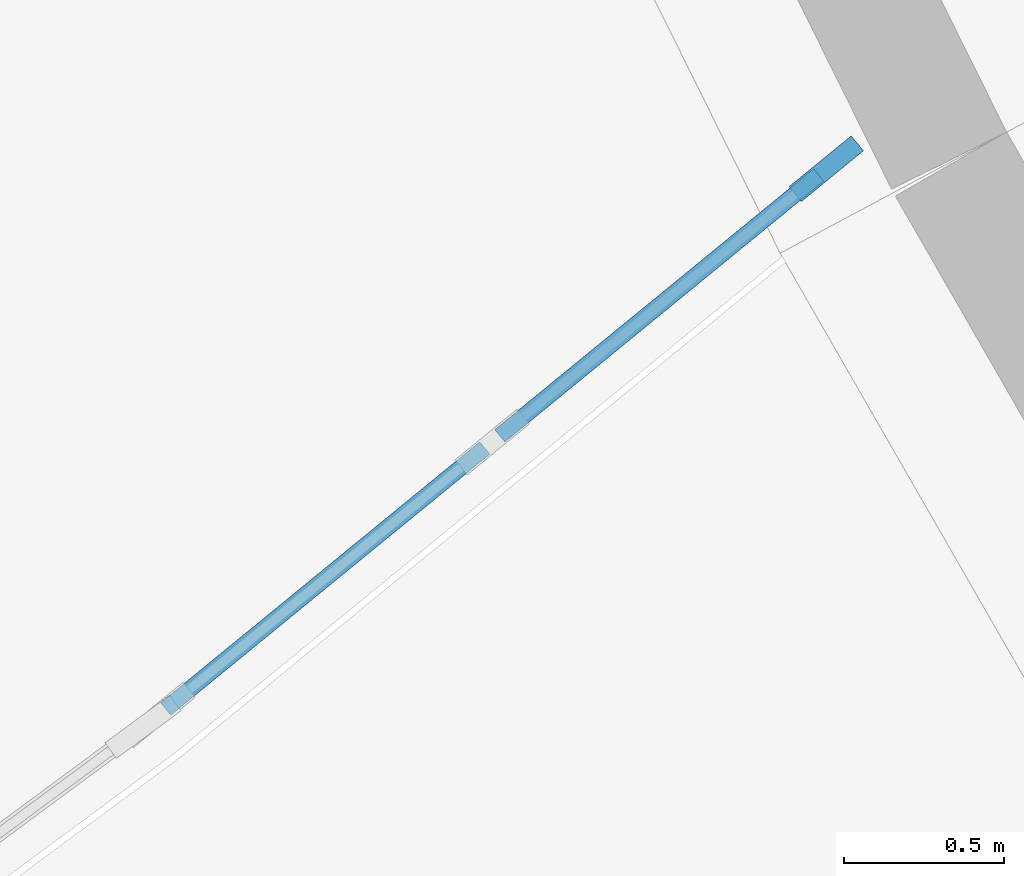
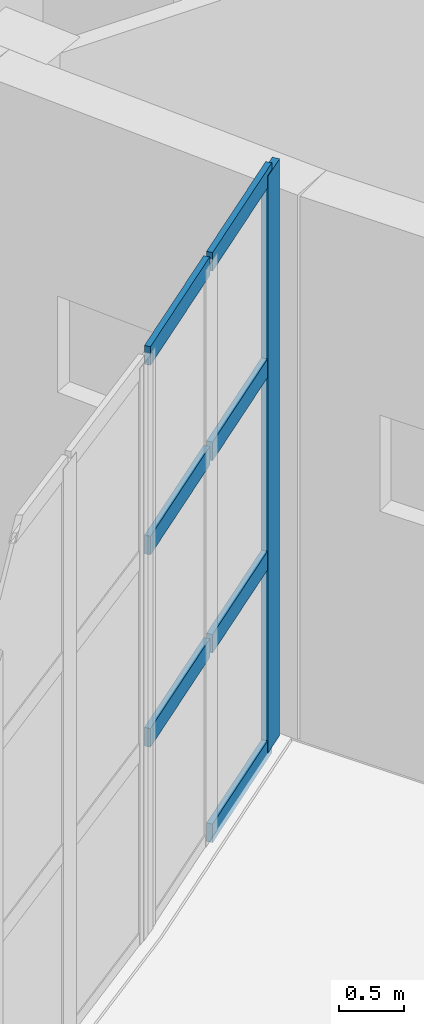
# One storey, part 24 of 82: 8 members, 1 element without a shape of its own.
"""IFC4 building model written with IfcOpenShell, lengths in metres."""

import ifcopenshell
import ifcopenshell.guid

model = None  # the IFC model being written
_history = None  # IfcOwnerHistory: only IFC2X3 demands one
_inside = {}  # id of a spatial element -> (the spatial element, [elements in it])
_under = {}  # id of a project, library or spatial element -> (it, [spatial elements below it])
_declared = {}  # id of a project -> (the project, [libraries it declares])
_typed = {}  # id of a type object -> (the type object, [elements of that type])
_made_of = {}  # id of a material, layer set ... -> (it, [elements and type objects made of it])


def new_model(schema):
    """Start an empty IFC model of exactly this schema.

    Asked for "IFC4X3", IfcOpenShell would pick the latest addendum, in which some entities
    have other attributes; the version numbers below select the first issue.
    IFC2X3 requires an IfcOwnerHistory on every rooted entity: one is made here for all.
    """
    global model, _history
    if schema == "IFC4X3":
        model = ifcopenshell.file(schema_version=(4, 3, 0, 0))
    else:
        model = ifcopenshell.file(schema=schema)
    _inside.clear()
    _under.clear()
    _declared.clear()
    _typed.clear()
    _made_of.clear()
    _history = None
    if model.schema == "IFC2X3":
        org = make("IfcOrganization", Name="unknown")
        user = make(
            "IfcPersonAndOrganization",
            ThePerson=make("IfcPerson", FamilyName="unknown"),
            TheOrganization=org,
        )
        app = make(
            "IfcApplication",
            ApplicationDeveloper=org,
            Version="unknown",
            ApplicationFullName="unknown",
            ApplicationIdentifier="unknown",
        )
        _history = make(
            "IfcOwnerHistory",
            OwningUser=user,
            OwningApplication=app,
            ChangeAction="ADDED",
            CreationDate=0,
        )
    return model


def make(cls, **values):
    """One entity of the class cls with the attributes given. An attribute that is None is left unset."""
    return model.create_entity(
        cls, **{name: value for name, value in values.items() if value is not None}
    )


def rooted(cls, **values):
    """An entity with a GlobalId (a new one), such as an element, a storey or a relation."""
    return make(cls, GlobalId=ifcopenshell.guid.new(), OwnerHistory=_history, **values)


def si_unit(unit_type, name, prefix=None):
    """IfcSIUnit, for example si_unit("LENGTHUNIT", "METRE", prefix="MILLI")."""
    return make("IfcSIUnit", UnitType=unit_type, Prefix=prefix, Name=name)


def assignment(units):
    """IfcUnitAssignment: the units of a project."""
    return None if units is None else make("IfcUnitAssignment", Units=units)


def point(xyz):
    """IfcCartesianPoint."""
    return None if xyz is None else make("IfcCartesianPoint", Coordinates=xyz)


def direction(xyz):
    """IfcDirection."""
    return None if xyz is None else make("IfcDirection", DirectionRatios=xyz)


def frame(location, z_axis=None, x_axis=None):
    """IfcAxis2Placement3D, a coordinate frame: its origin and axes. An axis left out is left unset."""
    return make(
        "IfcAxis2Placement3D",
        Location=point(location),
        Axis=direction(z_axis),
        RefDirection=direction(x_axis),
    )


def frame_2d(location, x_axis=None):
    """IfcAxis2Placement2D, a coordinate frame in the plane: its origin and x axis."""
    return make(
        "IfcAxis2Placement2D", Location=point(location), RefDirection=direction(x_axis)
    )


def origin():
    """The frame at (0, 0, 0) with its axes left unset."""
    return frame((0.0, 0.0, 0.0))


def origin_2d():
    """The frame at (0, 0) in the plane with its x axis left unset."""
    return frame_2d((0.0, 0.0))


def place(relative_to, where):
    """IfcLocalPlacement: puts the frame where relative to a parent placement (None: the world)."""
    return make(
        "IfcLocalPlacement", PlacementRelTo=relative_to, RelativePlacement=where
    )


def context(
    kind, dimensions, precision=None, world=None, true_north=None, identifier=None
):
    """IfcGeometricRepresentationContext, for example the 3D "Model" context."""
    return make(
        "IfcGeometricRepresentationContext",
        ContextIdentifier=identifier,
        ContextType=kind,
        CoordinateSpaceDimension=dimensions,
        Precision=precision,
        WorldCoordinateSystem=world,
        TrueNorth=true_north,
    )


def subcontext(parent, identifier, kind, view, scale=None):
    """IfcGeometricRepresentationSubContext, for example "Body" below "Model"."""
    return make(
        "IfcGeometricRepresentationSubContext",
        ContextIdentifier=identifier,
        ContextType=kind,
        ParentContext=parent,
        TargetScale=scale,
        TargetView=view,
    )


def project(units=None, contexts=None):
    """IfcProject with its units and contexts."""
    return rooted(
        "IfcProject",
        Name="project",
        RepresentationContexts=contexts,
        UnitsInContext=assignment(units),
    )


def spatial(cls, under=None, at=None, **own):
    """A site, building, storey or space (cls), placed at a placement, below another one or the project."""
    s = rooted(cls, ObjectPlacement=at, **own)
    if under is not None:
        _under.setdefault(under.id(), (under, []))[1].append(s)
    return s


def profile(cls, at=None, kind="AREA", **sizes):
    """A parametric profile (cls). Its sizes go by their IFC names, for example OverallWidth=200.0."""
    return make(cls, ProfileType=kind, Position=at, **sizes)


def rectangle(**sizes):
    """IfcRectangleProfileDef."""
    return profile("IfcRectangleProfileDef", **sizes)


def extrude(swept, where, along, depth):
    """IfcExtrudedAreaSolid: the profile swept, set in the frame where, extruded along a direction by depth."""
    return make(
        "IfcExtrudedAreaSolid",
        SweptArea=swept,
        Position=where,
        ExtrudedDirection=direction(along),
        Depth=depth,
    )


def shape(context_of_items, identifier, shape_type, items):
    """IfcShapeRepresentation: the items that make up one representation, for example the "Body"."""
    return make(
        "IfcShapeRepresentation",
        ContextOfItems=context_of_items,
        RepresentationIdentifier=identifier,
        RepresentationType=shape_type,
        Items=items,
    )


def material(Name=None, Category=None):
    """IfcMaterial."""
    return make("IfcMaterial", Name=Name, Category=Category)


def material_profile(
    of_material, cross_section, Name=None, Category=None, Priority=None
):
    """IfcMaterialProfile: a cross section and its material."""
    return make(
        "IfcMaterialProfile",
        Name=Name,
        Material=of_material,
        Profile=cross_section,
        Priority=Priority,
        Category=Category,
    )


def profile_set(profiles, Name=None, composite=None):
    """IfcMaterialProfileSet."""
    return make(
        "IfcMaterialProfileSet",
        Name=Name,
        MaterialProfiles=profiles,
        CompositeProfile=composite,
    )


def made_of(thing, what):
    """Note that an element or type object is made of a material, layer set ...; save() writes the relation."""
    if what is not None:
        _made_of.setdefault(what.id(), (what, []))[1].append(thing)
    return thing


def type_object(cls, material=None, **own):
    """A type object (cls), such as IfcWallType, which elements share."""
    return made_of(rooted(cls, **own), material)


def element(
    cls,
    number,
    at=None,
    inside=None,
    cuts=None,
    type_object=None,
    material=None,
    context=None,
    identifier="Body",
    shape_type=None,
    held_by="IfcProductDefinitionShape",
    body=None,
    shapes=None,
    **own,
):
    """One element of the class cls, such as IfcWall. Its Tag is "e" and its number.

    at: its placement. inside: the storey or other place that contains it. cuts: it is an
    opening in that element (IfcRelVoidsElement). A single representation is given by context,
    identifier, shape_type and body (its items); several are given by shapes. held_by: the class
    of the entity that holds the representations. save() writes the other relations.
    """
    e = rooted(cls, Tag="e%d" % number, ObjectPlacement=at, **own)
    if body is not None:
        shapes = [shape(context, identifier, shape_type, body)]
    if shapes is not None:
        e.Representation = make(held_by, Representations=shapes)
    if inside is not None:
        _inside.setdefault(inside.id(), (inside, []))[1].append(e)
    if cuts is not None:
        rooted(
            "IfcRelVoidsElement", RelatingBuildingElement=cuts, RelatedOpeningElement=e
        )
    if type_object is not None:
        _typed.setdefault(type_object.id(), (type_object, []))[1].append(e)
    return made_of(e, material)


def aggregate(whole, parts):
    """IfcRelAggregates: a whole, such as a stair, and the parts it consists of."""
    return rooted("IfcRelAggregates", RelatingObject=whole, RelatedObjects=parts)


def save(model, path):
    """Write the relations noted so far, then the file.

    IfcRelAggregates (storeys below a building ...), IfcRelContainedInSpatialStructure (elements
    in a storey), IfcRelDefinesByType, IfcRelAssociatesMaterial and IfcRelDeclares: one each for
    every whole, place, type object, material and project.
    """
    for whole, parts in _under.values():
        aggregate(whole, parts)
    for where, things in _inside.values():
        rooted(
            "IfcRelContainedInSpatialStructure",
            RelatedElements=things,
            RelatingStructure=where,
        )
    for kind, things in _typed.values():
        rooted("IfcRelDefinesByType", RelatedObjects=things, RelatingType=kind)
    for what, things in _made_of.values():
        rooted("IfcRelAssociatesMaterial", RelatedObjects=things, RelatingMaterial=what)
    for by, libraries in _declared.values():
        rooted("IfcRelDeclares", RelatingContext=by, RelatedDefinitions=libraries)
    model.write(path)


model = new_model("IFC4")

# Units and contexts
model_context = context("Model", 3, precision=1e-05, world=origin(), true_north=direction((0.0, 1.0)))
body_context = subcontext(model_context, "Body", "Model", "MODEL_VIEW")
ifc_project = project(units=[si_unit("LENGTHUNIT", "METRE"), si_unit("AREAUNIT", "SQUARE_METRE"), si_unit("VOLUMEUNIT", "CUBIC_METRE"), si_unit("PLANEANGLEUNIT", "RADIAN"), si_unit("MASSUNIT", "GRAM", prefix="KILO")], contexts=[model_context])

# Site, building, storey
site_placement = place(None, origin())
site = spatial("IfcSite", under=ifc_project, at=site_placement, CompositionType="ELEMENT")
building_placement = place(site_placement, origin())
building = spatial("IfcBuilding", under=site, at=building_placement, Name="Tide Square Theatres", CompositionType="ELEMENT")
storey_placement = place(building_placement, origin())
storey = spatial("IfcBuildingStorey", under=building, at=storey_placement, Name="L00", CompositionType="ELEMENT", Elevation=0.0)

# Curtain wall, members
ifc_material_1 = material(Name="Aluminium 6063-T5", Category="aluminium")
curtain_wall_type = type_object("IfcCurtainWallType", Name="Unitised system curtain wall 5400 high", PredefinedType="USERDEFINED", material=ifc_material_1)
curtain_wall_placement = place(storey_placement, origin())
curtain_wall = element("IfcCurtainWall", 1, at=curtain_wall_placement, inside=storey, type_object=curtain_wall_type, Name="Foyer outer curtain wall", ObjectType="UNITISED SYSTEM", PredefinedType="USERDEFINED")
ifc_material_2 = material(Name="Aluminium 6063-T5", Category="aluminium")
ifc_material_profile_1 = material_profile(ifc_material_2, rectangle(XDim=0.06005859375, YDim=0.25, at=origin_2d()))
ifc_profile_set_1 = profile_set([ifc_material_profile_1], Name="Aluminium 6063-T5")
member_type_1 = type_object("IfcMemberType", Name="Aluminium mullion 60 x 250", PredefinedType="MULLION", material=ifc_profile_set_1)
member_1_placement = place(storey_placement, frame((122.8369140625, 22.4375, 0.0), z_axis=(0.0, 0.0, 1.0), x_axis=(-0.63302591926, 0.774130599799, 0.0)))
member_1 = element("IfcMember", 2, at=member_1_placement, type_object=member_type_1, Name="CW-01 mullion 3", PredefinedType="MULLION", context=body_context, shape_type="SweptSolid", body=[
    extrude(rectangle(XDim=0.06005859375, YDim=0.25, at=origin_2d()), origin(), (0.0, 0.0, 1.0), 5.39990234375),
])
ifc_material_3 = material(Name="Aluminium 6063-T5", Category="aluminium")
ifc_material_profile_2 = material_profile(ifc_material_3, rectangle(XDim=0.050048828125, YDim=0.175048828125, at=origin_2d()))
ifc_profile_set_2 = profile_set([ifc_material_profile_2], Name="Aluminium 6063-T5")
member_type_2 = type_object("IfcMemberType", Name="Aluminium transom 50 x 175", PredefinedType="USERDEFINED", material=ifc_profile_set_2)
member_2_placement = place(storey_placement, frame((120.77734375, 20.753173828125, 1.800048828125), z_axis=(0.774134970987, 0.633020573675, 0.0), x_axis=(-0.633020573675, 0.774134970987, 0.0)))
member_2 = element("IfcMember", 3, at=member_2_placement, type_object=member_type_2, Name="CW-01 transom 1.2", ObjectType="TRANSOM", PredefinedType="USERDEFINED", context=body_context, shape_type="SweptSolid", body=[
    extrude(rectangle(XDim=0.050048828125, YDim=0.175048828125, at=origin_2d()), origin(), (0.0, 0.0, 1.0), 1.285400390625),
])
member_3_placement = place(storey_placement, frame((120.77734375, 20.753173828125, 3.60009765625), z_axis=(0.774134970987, 0.633020573675, 0.0), x_axis=(-0.633020573675, 0.774134970987, 0.0)))
member_3 = element("IfcMember", 4, at=member_3_placement, type_object=member_type_2, Name="CW-01 transom 1.3", ObjectType="TRANSOM", PredefinedType="USERDEFINED", context=body_context, shape_type="SweptSolid", body=[
    extrude(rectangle(XDim=0.050048828125, YDim=0.175048828125, at=origin_2d()), origin(), (0.0, 0.0, 1.0), 1.285400390625),
])
member_4_placement = place(storey_placement, frame((120.77734375, 20.753173828125, 5.375), z_axis=(0.774134970987, 0.633020573675, 0.0), x_axis=(-0.633020573675, 0.774134970987, 0.0)))
member_4 = element("IfcMember", 5, at=member_4_placement, type_object=member_type_2, Name="CW-01 transom 1.4", ObjectType="TRANSOM", PredefinedType="USERDEFINED", context=body_context, shape_type="SweptSolid", body=[
    extrude(rectangle(XDim=0.050048828125, YDim=0.175048828125, at=origin_2d()), origin(), (0.0, 0.0, 1.0), 1.285400390625),
])
member_5_placement = place(storey_placement, frame((121.81884765625, 21.604736328125, 0.02490234375), z_axis=(0.774058848328, 0.63311365435, 0.0), x_axis=(-0.63311365435, 0.774058848328, 0.0)))
member_5 = element("IfcMember", 6, at=member_5_placement, type_object=member_type_2, Name="CW-01 transom 2.1", ObjectType="TRANSOM", PredefinedType="USERDEFINED", context=body_context, shape_type="SweptSolid", body=[
    extrude(rectangle(XDim=0.050048828125, YDim=0.175048828125, at=origin_2d()), origin(), (0.0, 0.0, 1.0), 1.28515625),
])
member_6_placement = place(storey_placement, frame((121.81884765625, 21.604736328125, 1.800048828125), z_axis=(0.774058848328, 0.63311365435, 0.0), x_axis=(-0.63311365435, 0.774058848328, 0.0)))
member_6 = element("IfcMember", 7, at=member_6_placement, type_object=member_type_2, Name="CW-01 transom 2.2", ObjectType="TRANSOM", PredefinedType="USERDEFINED", context=body_context, shape_type="SweptSolid", body=[
    extrude(rectangle(XDim=0.050048828125, YDim=0.175048828125, at=origin_2d()), origin(), (0.0, 0.0, 1.0), 1.28515625),
])
member_7_placement = place(storey_placement, frame((121.81884765625, 21.604736328125, 3.60009765625), z_axis=(0.774058848328, 0.63311365435, 0.0), x_axis=(-0.63311365435, 0.774058848328, 0.0)))
member_7 = element("IfcMember", 8, at=member_7_placement, type_object=member_type_2, Name="CW-01 transom 2.3", ObjectType="TRANSOM", PredefinedType="USERDEFINED", context=body_context, shape_type="SweptSolid", body=[
    extrude(rectangle(XDim=0.050048828125, YDim=0.175048828125, at=origin_2d()), origin(), (0.0, 0.0, 1.0), 1.28515625),
])
member_8_placement = place(storey_placement, frame((121.81884765625, 21.604736328125, 5.375), z_axis=(0.774058848328, 0.63311365435, 0.0), x_axis=(-0.63311365435, 0.774058848328, 0.0)))
member_8 = element("IfcMember", 9, at=member_8_placement, type_object=member_type_2, Name="CW-01 transom 2.4", ObjectType="TRANSOM", PredefinedType="USERDEFINED", context=body_context, shape_type="SweptSolid", body=[
    extrude(rectangle(XDim=0.050048828125, YDim=0.175048828125, at=origin_2d()), origin(), (0.0, 0.0, 1.0), 1.28515625),
])
aggregate(curtain_wall, [member_1, member_2, member_3, member_4, member_5, member_6, member_7, member_8])

save(model, "model.ifc")
